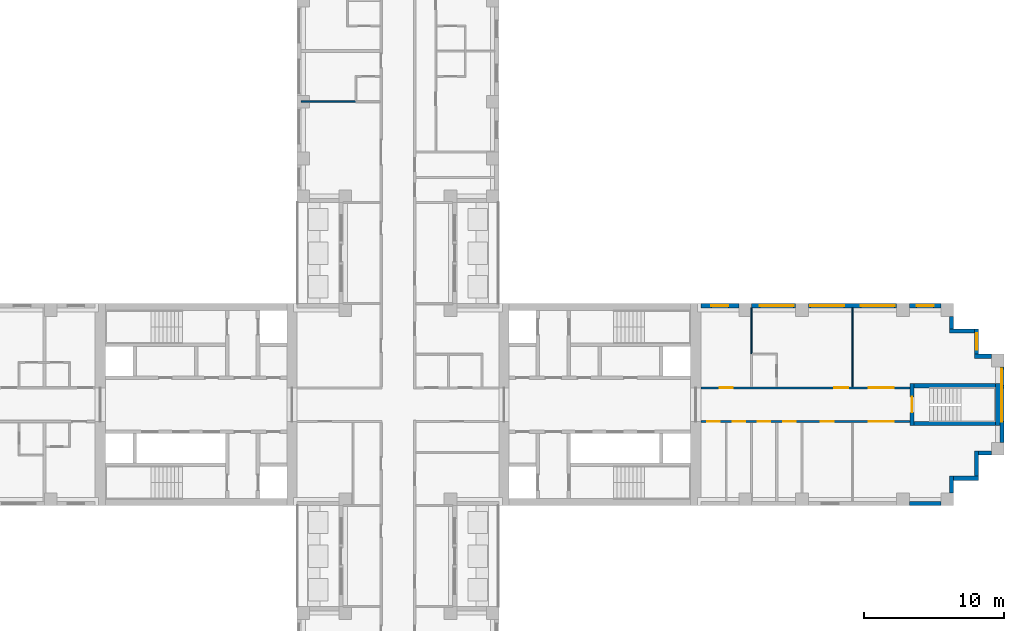
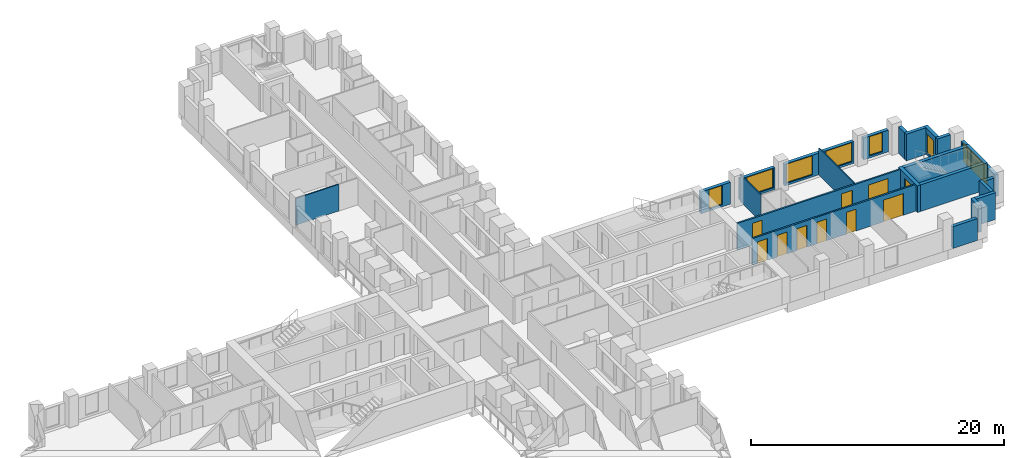
# One storey, part 10 of 15: 23 walls, 10 doors, 8 windows, 18 openings.
"""IFC4 building model written with IfcOpenShell, lengths in metres."""

from ifc_helpers import new_model, si_unit, direction, frame, frame_2d, origin, place, context, subcontext, project, spatial, rectangle, extrude, material, layer, layer_set, type_object, element, fill, save


model = new_model("IFC4")

# Units and contexts
model_context = context("Model", 3, precision=1e-05, world=origin(), true_north=direction((0.0, 1.0)))
body_context = subcontext(model_context, "Body", "Model", "MODEL_VIEW")
ifc_project = project(units=[si_unit("LENGTHUNIT", "METRE"), si_unit("AREAUNIT", "SQUARE_METRE"), si_unit("VOLUMEUNIT", "CUBIC_METRE"), si_unit("PLANEANGLEUNIT", "RADIAN"), si_unit("MASSUNIT", "GRAM", prefix="KILO")], contexts=[model_context])

# Site, building, storey
site_placement = place(None, origin())
site = spatial("IfcSite", under=ifc_project, at=site_placement, CompositionType="ELEMENT")
building_placement = place(site_placement, origin())
building = spatial("IfcBuilding", under=site, at=building_placement, Name="Fustian Cross Tower", CompositionType="ELEMENT")
storey_placement = place(building_placement, frame((0.0, 0.0, 47.699951171875)))
storey = spatial("IfcBuildingStorey", under=building, at=storey_placement, Name="L14", CompositionType="ELEMENT", Elevation=47.699951171875)

# Wall, openings, doors
ifc_material_1 = material(Name="Plasterboard on steel stud", Category="steel")
ifc_layer_1 = layer(ifc_material_1, 0.14990234375)
ifc_layer_set_1 = layer_set([ifc_layer_1], Name="Plasterboard on steel stud")
wall_type_1 = type_object("IfcWallType", Name="COMPARTMENT WALL 150 EI 60", PredefinedType="PARTITIONING", material=ifc_layer_set_1)
wall_1_placement = place(storey_placement, frame((21.60009765625, -1.199951171875, 0.0), z_axis=(0.0, 0.0, 1.0), x_axis=(1.0, 0.0, 0.0)))
wall_1 = element("IfcWall", 1, at=wall_1_placement, inside=storey, type_object=wall_type_1, Name="Partition 77", PredefinedType="PARTITIONING", context=body_context, shape_type="SweptSolid", body=[
    extrude(rectangle(XDim=14.89990234375, YDim=0.14990234375, at=frame_2d((7.449951171875, 0.0))), origin(), (0.0, 0.0, 1.0), 2.574951171875),
])
opening_1_placement = place(wall_1_placement, frame((0.449951171875, 0.0, 0.0)))
opening_1 = element("IfcOpeningElement", 2, at=opening_1_placement, cuts=wall_1, Name="Opening D08013", PredefinedType="OPENING", context=body_context, shape_type="SweptSolid", body=[
    extrude(rectangle(XDim=0.89990234375, YDim=2.10009765625, at=frame_2d((0.449951171875, 1.050048828125))), frame((0.0, 0.0849609375, 0.0), z_axis=(0.0, -1.0, 0.0), x_axis=(1.0, 0.0, 0.0)), (0.0, 0.0, 1.0), 0.169921875),
])
opening_2_placement = place(wall_1_placement, frame((2.25, 0.0, 0.0)))
opening_2 = element("IfcOpeningElement", 3, at=opening_2_placement, cuts=wall_1, Name="Opening D08014", PredefinedType="OPENING", context=body_context, shape_type="SweptSolid", body=[
    extrude(rectangle(XDim=0.89990234375, YDim=2.10009765625, at=frame_2d((0.449951171875, 1.050048828125))), frame((0.0, 0.0849609375, 0.0), z_axis=(0.0, -1.0, 0.0), x_axis=(1.0, 0.0, 0.0)), (0.0, 0.0, 1.0), 0.169921875),
])
opening_3_placement = place(wall_1_placement, frame((4.050048828125, 0.0, 0.0)))
opening_3 = element("IfcOpeningElement", 4, at=opening_3_placement, cuts=wall_1, Name="Opening D08015", PredefinedType="OPENING", context=body_context, shape_type="SweptSolid", body=[
    extrude(rectangle(XDim=0.89990234375, YDim=2.10009765625, at=frame_2d((0.449951171875, 1.050048828125))), frame((0.0, 0.0849609375, 0.0), z_axis=(0.0, -1.0, 0.0), x_axis=(1.0, 0.0, 0.0)), (0.0, 0.0, 1.0), 0.169921875),
])
opening_4_placement = place(wall_1_placement, frame((5.85009765625, 0.0, 0.0)))
opening_4 = element("IfcOpeningElement", 5, at=opening_4_placement, cuts=wall_1, Name="Opening D08016", PredefinedType="OPENING", context=body_context, shape_type="SweptSolid", body=[
    extrude(rectangle(XDim=0.89990234375, YDim=2.10009765625, at=frame_2d((0.449951171875, 1.050048828125))), frame((0.0, 0.0849609375, 0.0), z_axis=(0.0, -1.0, 0.0), x_axis=(1.0, 0.0, 0.0)), (0.0, 0.0, 1.0), 0.169921875),
])
opening_5_placement = place(wall_1_placement, frame((8.550048828125, 0.0, 0.0)))
opening_5 = element("IfcOpeningElement", 6, at=opening_5_placement, cuts=wall_1, Name="Opening D08017", PredefinedType="OPENING", context=body_context, shape_type="SweptSolid", body=[
    extrude(rectangle(XDim=0.89990234375, YDim=2.10009765625, at=frame_2d((0.449951171875, 1.050048828125))), frame((0.0, 0.0849609375, 0.0), z_axis=(0.0, -1.0, 0.0), x_axis=(1.0, 0.0, 0.0)), (0.0, 0.0, 1.0), 0.169921875),
])
opening_6_placement = place(wall_1_placement, frame((11.949951171875, 0.0, 0.0)))
opening_6 = element("IfcOpeningElement", 7, at=opening_6_placement, cuts=wall_1, Name="Opening D08018", PredefinedType="OPENING", context=body_context, shape_type="SweptSolid", body=[
    extrude(rectangle(XDim=1.800048828125, YDim=2.10009765625, at=frame_2d((0.89990234375, 1.050048828125))), frame((0.0, 0.0849609375, 0.0), z_axis=(0.0, -1.0, 0.0), x_axis=(1.0, 0.0, 0.0)), (0.0, 0.0, 1.0), 0.169921875),
])
ifc_material_2 = material(Name="Timber fire door set", Category="wood")
door_type_1 = type_object("IfcDoorType", Name="FIRE DOUBLE DOOR 1800 FD30S", OperationType="DOUBLE_DOOR_DOUBLE_SWING", PredefinedType="DOOR", material=ifc_material_2)
door_1_placement = place(opening_6_placement, origin())
door_1 = element("IfcDoor", 8, at=door_1_placement, inside=storey, type_object=door_type_1, Name="Door D08018", OperationType="DOUBLE_DOOR_DOUBLE_SWING", OverallHeight=2.10009765625, OverallWidth=1.800048828125, PredefinedType="DOOR", context=body_context, shape_type="SweptSolid", body=[
    extrude(rectangle(XDim=1.800048828125, YDim=2.10009765625, at=frame_2d((0.89990234375, 1.050048828125))), frame((0.0, 0.02490234375, 0.0), z_axis=(0.0, -1.0, 0.0), x_axis=(1.0, 0.0, 0.0)), (0.0, 0.0, 1.0), 0.050048828125),
])
fill(opening_6, door_1)
ifc_material_3 = material(Name="Timber fire door set", Category="wood")
door_type_2 = type_object("IfcDoorType", Name="FIRE SWING DOOR 900 FD30S", OperationType="SINGLE_SWING_LEFT", PredefinedType="DOOR", material=ifc_material_3)
door_2_placement = place(opening_1_placement, frame((0.89990234375, 0.0, 0.0), z_axis=(0.0, 0.0, 1.0), x_axis=(-1.0, 0.0, 0.0)))
door_2 = element("IfcDoor", 9, at=door_2_placement, inside=storey, type_object=door_type_2, Name="Door D08013", OperationType="SINGLE_SWING_LEFT", OverallHeight=2.10009765625, OverallWidth=0.89990234375, PredefinedType="DOOR", context=body_context, shape_type="SweptSolid", body=[
    extrude(rectangle(XDim=0.89990234375, YDim=2.10009765625, at=frame_2d((0.449951171875, 1.050048828125))), frame((0.0, 0.02490234375, 0.0), z_axis=(0.0, -1.0, 0.0), x_axis=(1.0, 0.0, 0.0)), (0.0, 0.0, 1.0), 0.050048828125),
])
fill(opening_1, door_2)
door_3_placement = place(opening_2_placement, frame((0.89990234375, 0.0, 0.0), z_axis=(0.0, 0.0, 1.0), x_axis=(-1.0, 0.0, 0.0)))
door_3 = element("IfcDoor", 10, at=door_3_placement, inside=storey, type_object=door_type_2, Name="Door D08014", OperationType="SINGLE_SWING_LEFT", OverallHeight=2.10009765625, OverallWidth=0.89990234375, PredefinedType="DOOR", context=body_context, shape_type="SweptSolid", body=[
    extrude(rectangle(XDim=0.89990234375, YDim=2.10009765625, at=frame_2d((0.449951171875, 1.050048828125))), frame((0.0, 0.02490234375, 0.0), z_axis=(0.0, -1.0, 0.0), x_axis=(1.0, 0.0, 0.0)), (0.0, 0.0, 1.0), 0.050048828125),
])
fill(opening_2, door_3)
door_4_placement = place(opening_3_placement, frame((0.89990234375, 0.0, 0.0), z_axis=(0.0, 0.0, 1.0), x_axis=(-1.0, 0.0, 0.0)))
door_4 = element("IfcDoor", 11, at=door_4_placement, inside=storey, type_object=door_type_2, Name="Door D08015", OperationType="SINGLE_SWING_LEFT", OverallHeight=2.10009765625, OverallWidth=0.89990234375, PredefinedType="DOOR", context=body_context, shape_type="SweptSolid", body=[
    extrude(rectangle(XDim=0.89990234375, YDim=2.10009765625, at=frame_2d((0.449951171875, 1.050048828125))), frame((0.0, 0.02490234375, 0.0), z_axis=(0.0, -1.0, 0.0), x_axis=(1.0, 0.0, 0.0)), (0.0, 0.0, 1.0), 0.050048828125),
])
fill(opening_3, door_4)
door_5_placement = place(opening_4_placement, frame((0.89990234375, 0.0, 0.0), z_axis=(0.0, 0.0, 1.0), x_axis=(-1.0, 0.0, 0.0)))
door_5 = element("IfcDoor", 12, at=door_5_placement, inside=storey, type_object=door_type_2, Name="Door D08016", OperationType="SINGLE_SWING_LEFT", OverallHeight=2.10009765625, OverallWidth=0.89990234375, PredefinedType="DOOR", context=body_context, shape_type="SweptSolid", body=[
    extrude(rectangle(XDim=0.89990234375, YDim=2.10009765625, at=frame_2d((0.449951171875, 1.050048828125))), frame((0.0, 0.02490234375, 0.0), z_axis=(0.0, -1.0, 0.0), x_axis=(1.0, 0.0, 0.0)), (0.0, 0.0, 1.0), 0.050048828125),
])
fill(opening_4, door_5)
door_6_placement = place(opening_5_placement, frame((0.89990234375, 0.0, 0.0), z_axis=(0.0, 0.0, 1.0), x_axis=(-1.0, 0.0, 0.0)))
door_6 = element("IfcDoor", 13, at=door_6_placement, inside=storey, type_object=door_type_2, Name="Door D08017", OperationType="SINGLE_SWING_RIGHT", OverallHeight=2.10009765625, OverallWidth=0.89990234375, PredefinedType="DOOR", context=body_context, shape_type="SweptSolid", body=[
    extrude(rectangle(XDim=0.89990234375, YDim=2.10009765625, at=frame_2d((0.449951171875, 1.050048828125))), frame((0.0, 0.02490234375, 0.0), z_axis=(0.0, -1.0, 0.0), x_axis=(1.0, 0.0, 0.0)), (0.0, 0.0, 1.0), 0.050048828125),
])
fill(opening_5, door_6)

wall_2_placement = place(storey_placement, frame((21.60009765625, 1.199951171875, 0.0), z_axis=(0.0, 0.0, 1.0), x_axis=(1.0, 0.0, 0.0)))
wall_2 = element("IfcWall", 14, at=wall_2_placement, inside=storey, type_object=wall_type_1, Name="Partition 78", PredefinedType="PARTITIONING", context=body_context, shape_type="SweptSolid", body=[
    extrude(rectangle(XDim=14.89990234375, YDim=0.14990234375, at=frame_2d((7.449951171875, 0.0))), origin(), (0.0, 0.0, 1.0), 2.574951171875),
])
opening_7_placement = place(wall_2_placement, frame((1.35009765625, 0.0, 0.0)))
opening_7 = element("IfcOpeningElement", 15, at=opening_7_placement, cuts=wall_2, Name="Opening D08009", PredefinedType="OPENING", context=body_context, shape_type="SweptSolid", body=[
    extrude(rectangle(XDim=0.89990234375, YDim=2.10009765625, at=frame_2d((0.449951171875, 1.050048828125))), frame((0.0, 0.0849609375, 0.0), z_axis=(0.0, -1.0, 0.0), x_axis=(1.0, 0.0, 0.0)), (0.0, 0.0, 1.0), 0.169921875),
])
opening_8_placement = place(wall_2_placement, frame((9.489990234375, 0.0, 0.0)))
opening_8 = element("IfcOpeningElement", 16, at=opening_8_placement, cuts=wall_2, Name="Opening D08011", PredefinedType="OPENING", context=body_context, shape_type="SweptSolid", body=[
    extrude(rectangle(XDim=1.0, YDim=2.10009765625, at=frame_2d((0.5, 1.050048828125))), frame((0.0, 0.0849609375, 0.0), z_axis=(0.0, -1.0, 0.0), x_axis=(1.0, 0.0, 0.0)), (0.0, 0.0, 1.0), 0.169921875),
])
opening_9_placement = place(wall_2_placement, frame((11.949951171875, 0.0, 0.0)))
opening_9 = element("IfcOpeningElement", 17, at=opening_9_placement, cuts=wall_2, Name="Opening D08012", PredefinedType="OPENING", context=body_context, shape_type="SweptSolid", body=[
    extrude(rectangle(XDim=1.800048828125, YDim=2.10009765625, at=frame_2d((0.89990234375, 1.050048828125))), frame((0.0, 0.0849609375, 0.0), z_axis=(0.0, -1.0, 0.0), x_axis=(1.0, 0.0, 0.0)), (0.0, 0.0, 1.0), 0.169921875),
])
door_7_placement = place(opening_9_placement, frame((1.800048828125, 0.0, 0.0), z_axis=(0.0, 0.0, 1.0), x_axis=(-1.0, 0.0, 0.0)))
door_7 = element("IfcDoor", 18, at=door_7_placement, inside=storey, type_object=door_type_1, Name="Door D08012", OperationType="DOUBLE_DOOR_DOUBLE_SWING", OverallHeight=2.10009765625, OverallWidth=1.800048828125, PredefinedType="DOOR", context=body_context, shape_type="SweptSolid", body=[
    extrude(rectangle(XDim=1.800048828125, YDim=2.10009765625, at=frame_2d((0.89990234375, 1.050048828125))), frame((0.0, 0.02490234375, 0.0), z_axis=(0.0, -1.0, 0.0), x_axis=(1.0, 0.0, 0.0)), (0.0, 0.0, 1.0), 0.050048828125),
])
fill(opening_9, door_7)
ifc_material_4 = material(Name="Timber fire door set", Category="wood")
door_type_3 = type_object("IfcDoorType", Name="FIRE SWING DOOR 1000 FD30S", OperationType="SINGLE_SWING_LEFT", PredefinedType="DOOR", material=ifc_material_4)
door_8_placement = place(opening_8_placement, origin())
door_8 = element("IfcDoor", 19, at=door_8_placement, inside=storey, type_object=door_type_3, Name="Door D08011", OperationType="SINGLE_SWING_RIGHT", OverallHeight=2.10009765625, OverallWidth=1.0, PredefinedType="DOOR", context=body_context, shape_type="SweptSolid", body=[
    extrude(rectangle(XDim=1.0, YDim=2.10009765625, at=frame_2d((0.5, 1.050048828125))), frame((0.0, 0.02490234375, 0.0), z_axis=(0.0, -1.0, 0.0), x_axis=(1.0, 0.0, 0.0)), (0.0, 0.0, 1.0), 0.050048828125),
])
fill(opening_8, door_8)
door_9_placement = place(opening_7_placement, origin())
door_9 = element("IfcDoor", 20, at=door_9_placement, inside=storey, type_object=door_type_2, Name="Door D08009", OperationType="SINGLE_SWING_LEFT", OverallHeight=2.10009765625, OverallWidth=0.89990234375, PredefinedType="DOOR", context=body_context, shape_type="SweptSolid", body=[
    extrude(rectangle(XDim=0.89990234375, YDim=2.10009765625, at=frame_2d((0.449951171875, 1.050048828125))), frame((0.0, 0.02490234375, 0.0), z_axis=(0.0, -1.0, 0.0), x_axis=(1.0, 0.0, 0.0)), (0.0, 0.0, 1.0), 0.050048828125),
])
fill(opening_7, door_9)

# Walls
ifc_material_5 = material(Name="Plasterboard on steel stud", Category="steel")
ifc_layer_2 = layer(ifc_material_5, 0.10009765625)
ifc_layer_set_2 = layer_set([ifc_layer_2], Name="Plasterboard on steel stud")
wall_type_2 = type_object("IfcWallType", Name="PARTITION 100 STUD", PredefinedType="PARTITIONING", material=ifc_layer_set_2)
wall_3_placement = place(storey_placement, frame((-6.89990234375, 21.60009765625, 0.0), z_axis=(0.0, 0.0, 1.0), x_axis=(1.0, 0.0, 0.0)))
element("IfcWall", 21, at=wall_3_placement, inside=storey, type_object=wall_type_2, Name="Partition 23", PredefinedType="PARTITIONING", context=body_context, shape_type="SweptSolid", body=[
    extrude(rectangle(XDim=3.89990234375, YDim=0.10009765625, at=frame_2d((1.949951171875, 0.0))), origin(), (0.0, 0.0, 1.0), 2.574951171875),
])
wall_4_placement = place(storey_placement, frame((25.199951171875, 3.60009765625, 0.0), z_axis=(0.0, 0.0, 1.0), x_axis=(0.0, 1.0, 0.0)))
element("IfcWall", 22, at=wall_4_placement, inside=storey, type_object=wall_type_2, Name="Partition 82", PredefinedType="PARTITIONING", context=body_context, shape_type="SweptSolid", body=[
    extrude(rectangle(XDim=3.2998046875, YDim=0.10009765625, at=frame_2d((1.64990234375, 0.0))), origin(), (0.0, 0.0, 1.0), 2.574951171875),
])
wall_5_placement = place(storey_placement, frame((32.39990234375, 1.27490234375, 0.0), z_axis=(0.0, 0.0, 1.0), x_axis=(0.0, 1.0, 0.0)))
element("IfcWall", 23, at=wall_5_placement, inside=storey, type_object=wall_type_2, Name="Partition 88", PredefinedType="PARTITIONING", context=body_context, shape_type="SweptSolid", body=[
    extrude(rectangle(XDim=5.625, YDim=0.10009765625, at=frame_2d((2.8125, 0.0))), origin(), (0.0, 0.0, 1.0), 2.574951171875),
])

# Wall, opening, door
ifc_material_6 = material(Name="Concrete C50/60", Category="concrete")
ifc_layer_3 = layer(ifc_material_6, 0.300048828125)
ifc_layer_set_3 = layer_set([ifc_layer_3], Name="Concrete C50/60")
wall_type_3 = type_object("IfcWallType", Name="STAIR ENCLOSURE WALL 300 C50/60", PredefinedType="SHEAR", material=ifc_layer_set_3)
wall_6_placement = place(storey_placement, frame((36.64990234375, -1.5, 0.0), z_axis=(0.0, 0.0, 1.0), x_axis=(0.0, 1.0, 0.0)))
wall_6 = element("IfcWall", 24, at=wall_6_placement, inside=storey, type_object=wall_type_3, Name="Stair enclosure wall", PredefinedType="SHEAR", context=body_context, shape_type="SweptSolid", body=[
    extrude(rectangle(XDim=3.0, YDim=0.300048828125, at=frame_2d((1.5, 0.0))), origin(), (0.0, 0.0, 1.0), 2.574951171875),
])
opening_10_placement = place(wall_6_placement, frame((0.949951171875, 0.0, 0.0)))
opening_10 = element("IfcOpeningElement", 25, at=opening_10_placement, cuts=wall_6, Name="Opening CD-05-33", PredefinedType="OPENING", context=body_context, shape_type="SweptSolid", body=[
    extrude(rectangle(XDim=1.10009765625, YDim=2.10009765625, at=frame_2d((0.550048828125, 1.050048828125))), frame((0.0, 0.159912109375, 0.0), z_axis=(0.0, -1.0, 0.0), x_axis=(1.0, 0.0, 0.0)), (0.0, 0.0, 1.0), 0.320068359375),
])
ifc_material_7 = material(Name="Steel", Category="steel")
door_type_4 = type_object("IfcDoorType", Name="FIRE DOOR FD60S 1100X2100", OperationType="SINGLE_SWING_LEFT", PredefinedType="DOOR", material=ifc_material_7)
door_10_placement = place(opening_10_placement, frame((1.10009765625, 0.0, 0.0), z_axis=(0.0, 0.0, 1.0), x_axis=(-1.0, 0.0, 0.0)))
door_10 = element("IfcDoor", 26, at=door_10_placement, inside=storey, type_object=door_type_4, Name="Core door CD-05-33", OperationType="SINGLE_SWING_RIGHT", OverallHeight=2.10009765625, OverallWidth=1.10009765625, PredefinedType="DOOR", context=body_context, shape_type="SweptSolid", body=[
    extrude(rectangle(XDim=1.10009765625, YDim=2.10009765625, at=frame_2d((0.550048828125, 1.050048828125))), frame((0.0, 0.02490234375, 0.0), z_axis=(0.0, -1.0, 0.0), x_axis=(1.0, 0.0, 0.0)), (0.0, 0.0, 1.0), 0.050048828125),
])
fill(opening_10, door_10)

# Walls
wall_7_placement = place(storey_placement, frame((42.75, -1.5, 0.0), z_axis=(0.0, 0.0, 1.0), x_axis=(0.0, 1.0, 0.0)))
element("IfcWall", 27, at=wall_7_placement, inside=storey, type_object=wall_type_3, Name="Stair enclosure wall", PredefinedType="SHEAR", context=body_context, shape_type="SweptSolid", body=[
    extrude(rectangle(XDim=3.0, YDim=0.300048828125, at=frame_2d((1.5, 0.0))), origin(), (0.0, 0.0, 1.0), 2.574951171875),
])
for number, where, z_axis, x_axis, name in (
    (28, (36.800048828125, -1.35009765625, 0.0), (0.0, 0.0, 1.0), (1.0, 0.0, 0.0), "Stair enclosure wall"),
    (29, (36.800048828125, 1.35009765625, 0.0), (0.0, 0.0, 1.0), (1.0, 0.0, 0.0), "Stair enclosure wall"),
):
    element("IfcWall", number, at=place(storey_placement, frame(where, z_axis=z_axis, x_axis=x_axis)), inside=storey, type_object=wall_type_3, Name=name, PredefinedType="SHEAR", context=body_context, shape_type="SweptSolid", body=[
        extrude(rectangle(XDim=5.800048828125, YDim=0.300048828125, at=frame_2d((2.89990234375, 0.0))), origin(), (0.0, 0.0, 1.0), 2.574951171875),
    ])
ifc_material_8 = material(Name="Dark aluminium cladding on insulated backing wall", Category="aluminium")
ifc_layer_4 = layer(ifc_material_8, 0.300048828125)
ifc_layer_set_4 = layer_set([ifc_layer_4], Name="Dark aluminium cladding on insulated backing wall")
wall_type_4 = type_object("IfcWallType", Name="XW1 EXTERNAL WALL 300", PredefinedType="SOLIDWALL", material=ifc_layer_set_4)
wall_8_placement = place(storey_placement, frame((36.449951171875, -7.050048828125, 0.0), z_axis=(0.0, 0.0, 1.0), x_axis=(1.0, 0.0, 0.0)))
element("IfcWall", 30, at=wall_8_placement, inside=storey, type_object=wall_type_4, Name="External wall", PredefinedType="SOLIDWALL", context=body_context, shape_type="SweptSolid", body=[
    extrude(rectangle(XDim=2.25, YDim=0.300048828125, at=frame_2d((1.125, 0.0))), origin(), (0.0, 0.0, 1.0), 2.10009765625),
])
wall_9_placement = place(storey_placement, frame((39.449951171875, -6.300048828125, 0.0), z_axis=(0.0, 0.0, 1.0), x_axis=(0.0, 1.0, 0.0)))
element("IfcWall", 31, at=wall_9_placement, inside=storey, type_object=wall_type_4, Name="External wall", PredefinedType="SOLIDWALL", context=body_context, shape_type="SweptSolid", body=[
    extrude(rectangle(XDim=1.199951171875, YDim=0.300048828125, at=frame_2d((0.60009765625, 0.0))), origin(), (0.0, 0.0, 1.0), 2.574951171875),
])
wall_10_placement = place(storey_placement, frame((39.60009765625, -5.25, 0.0), z_axis=(0.0, 0.0, 1.0), x_axis=(1.0, 0.0, 0.0)))
element("IfcWall", 32, at=wall_10_placement, inside=storey, type_object=wall_type_4, Name="External wall", PredefinedType="SOLIDWALL", context=body_context, shape_type="SweptSolid", body=[
    extrude(rectangle(XDim=1.7998046875, YDim=0.300048828125, at=frame_2d((0.89990234375, 0.0))), origin(), (0.0, 0.0, 1.0), 2.574951171875),
])
wall_11_placement = place(storey_placement, frame((41.25, -5.10009765625, 0.0), z_axis=(0.0, 0.0, 1.0), x_axis=(0.0, 1.0, 0.0)))
element("IfcWall", 33, at=wall_11_placement, inside=storey, type_object=wall_type_4, Name="External wall", PredefinedType="SOLIDWALL", context=body_context, shape_type="SweptSolid", body=[
    extrude(rectangle(XDim=1.800048828125, YDim=0.300048828125, at=frame_2d((0.89990234375, 0.0))), origin(), (0.0, 0.0, 1.0), 2.574951171875),
])
wall_12_placement = place(storey_placement, frame((41.39990234375, -3.449951171875, 0.0), z_axis=(0.0, 0.0, 1.0), x_axis=(1.0, 0.0, 0.0)))
element("IfcWall", 34, at=wall_12_placement, inside=storey, type_object=wall_type_4, Name="External wall", PredefinedType="SOLIDWALL", context=body_context, shape_type="SweptSolid", body=[
    extrude(rectangle(XDim=0.900146484375, YDim=0.300048828125, at=frame_2d((0.4501953125, 0.0))), origin(), (0.0, 0.0, 1.0), 2.574951171875),
])

# Wall, openings, windows
wall_13_placement = place(storey_placement, frame((43.050048828125, -2.699951171875, 0.0), z_axis=(0.0, 0.0, 1.0), x_axis=(0.0, 1.0, 0.0)))
wall_13 = element("IfcWall", 35, at=wall_13_placement, inside=storey, type_object=wall_type_4, Name="External wall", PredefinedType="SOLIDWALL", context=body_context, shape_type="SweptSolid", body=[
    extrude(rectangle(XDim=5.39990234375, YDim=0.300048828125, at=frame_2d((2.699951171875, 0.0))), origin(), (0.0, 0.0, 1.0), 2.10009765625),
])
opening_11_placement = place(wall_13_placement, frame((1.5, 0.0, 0.199951171875)))
opening_11 = element("IfcOpeningElement", 36, at=opening_11_placement, cuts=wall_13, Name="Opening WN1", PredefinedType="OPENING", context=body_context, shape_type="SweptSolid", body=[
    extrude(rectangle(XDim=2.39990234375, YDim=1.85009765625, at=frame_2d((1.199951171875, 0.925048828125))), frame((0.0, 0.159912109375, 0.0), z_axis=(0.0, -1.0, 0.0), x_axis=(1.0, 0.0, 0.0)), (0.0, 0.0, 1.0), 0.320068359375),
])
opening_12_placement = place(wall_13_placement, frame((4.050048828125, 0.0, 0.199951171875)))
opening_12 = element("IfcOpeningElement", 37, at=opening_12_placement, cuts=wall_13, Name="Opening WN3", PredefinedType="OPENING", context=body_context, shape_type="SweptSolid", body=[
    extrude(rectangle(XDim=1.199951171875, YDim=1.85009765625, at=frame_2d((0.60009765625, 0.925048828125))), frame((0.0, 0.159912109375, 0.0), z_axis=(0.0, -1.0, 0.0), x_axis=(1.0, 0.0, 0.0)), (0.0, 0.0, 1.0), 0.320068359375),
])
ifc_material_9 = material(Name="Dark anodised aluminium and double glazing", Category="aluminium")
window_type_1 = type_object("IfcWindowType", Name="WN1 WINDOW 2400X1850", PartitioningType="SINGLE_PANEL", PredefinedType="WINDOW", material=ifc_material_9)
window_1_placement = place(opening_11_placement, origin())
window_1 = element("IfcWindow", 38, at=window_1_placement, inside=storey, type_object=window_type_1, Name="Window", OverallHeight=1.85009765625, OverallWidth=2.39990234375, PartitioningType="SINGLE_PANEL", PredefinedType="WINDOW", context=body_context, shape_type="SweptSolid", body=[
    extrude(rectangle(XDim=2.39990234375, YDim=1.85009765625, at=frame_2d((1.199951171875, 0.925048828125))), frame((0.0, 0.030029296875, 0.0), z_axis=(0.0, -1.0, 0.0), x_axis=(1.0, 0.0, 0.0)), (0.0, 0.0, 1.0), 0.06005859375),
])
fill(opening_11, window_1)
ifc_material_10 = material(Name="Dark anodised aluminium and double glazing", Category="aluminium")
window_type_2 = type_object("IfcWindowType", Name="WN3 WINDOW 1200X1850", PartitioningType="SINGLE_PANEL", PredefinedType="WINDOW", material=ifc_material_10)
window_2_placement = place(opening_12_placement, origin())
window_2 = element("IfcWindow", 39, at=window_2_placement, inside=storey, type_object=window_type_2, Name="Window", OverallHeight=1.85009765625, OverallWidth=1.199951171875, PartitioningType="SINGLE_PANEL", PredefinedType="WINDOW", context=body_context, shape_type="SweptSolid", body=[
    extrude(rectangle(XDim=1.199951171875, YDim=1.85009765625, at=frame_2d((0.60009765625, 0.925048828125))), frame((0.0, 0.030029296875, 0.0), z_axis=(0.0, -1.0, 0.0), x_axis=(1.0, 0.0, 0.0)), (0.0, 0.0, 1.0), 0.06005859375),
])
fill(opening_12, window_2)

# Wall
wall_14_placement = place(storey_placement, frame((42.300048828125, 3.449951171875, 0.0), z_axis=(0.0, 0.0, 1.0), x_axis=(-1.0, 0.0, 0.0)))
element("IfcWall", 40, at=wall_14_placement, inside=storey, type_object=wall_type_4, Name="External wall", PredefinedType="SOLIDWALL", context=body_context, shape_type="SweptSolid", body=[
    extrude(rectangle(XDim=1.199951171875, YDim=0.300048828125, at=frame_2d((0.60009765625, 0.0))), origin(), (0.0, 0.0, 1.0), 2.574951171875),
])

# Wall, opening, window
wall_15_placement = place(storey_placement, frame((41.25, 3.60009765625, 0.0), z_axis=(0.0, 0.0, 1.0), x_axis=(0.0, 1.0, 0.0)))
wall_15 = element("IfcWall", 41, at=wall_15_placement, inside=storey, type_object=wall_type_4, Name="External wall", PredefinedType="SOLIDWALL", context=body_context, shape_type="SweptSolid", body=[
    extrude(rectangle(XDim=1.7998046875, YDim=0.300048828125, at=frame_2d((0.89990234375, 0.0))), origin(), (0.0, 0.0, 1.0), 2.574951171875),
])
opening_13_placement = place(wall_15_placement, frame((0.300048828125, 0.0, 0.199951171875)))
opening_13 = element("IfcOpeningElement", 42, at=opening_13_placement, cuts=wall_15, Name="Opening WN3", PredefinedType="OPENING", context=body_context, shape_type="SweptSolid", body=[
    extrude(rectangle(XDim=1.199951171875, YDim=1.85009765625, at=frame_2d((0.60009765625, 0.925048828125))), frame((0.0, 0.159912109375, 0.0), z_axis=(0.0, -1.0, 0.0), x_axis=(1.0, 0.0, 0.0)), (0.0, 0.0, 1.0), 0.320068359375),
])
window_3_placement = place(opening_13_placement, origin())
window_3 = element("IfcWindow", 43, at=window_3_placement, inside=storey, type_object=window_type_2, Name="Window", OverallHeight=1.85009765625, OverallWidth=1.199951171875, PartitioningType="SINGLE_PANEL", PredefinedType="WINDOW", context=body_context, shape_type="SweptSolid", body=[
    extrude(rectangle(XDim=1.199951171875, YDim=1.85009765625, at=frame_2d((0.60009765625, 0.925048828125))), frame((0.0, 0.030029296875, 0.0), z_axis=(0.0, -1.0, 0.0), x_axis=(1.0, 0.0, 0.0)), (0.0, 0.0, 1.0), 0.06005859375),
])
fill(opening_13, window_3)

# Walls
wall_16_placement = place(storey_placement, frame((41.10009765625, 5.25, 0.0), z_axis=(0.0, 0.0, 1.0), x_axis=(-1.0, 0.0, 0.0)))
element("IfcWall", 44, at=wall_16_placement, inside=storey, type_object=wall_type_4, Name="External wall", PredefinedType="SOLIDWALL", context=body_context, shape_type="SweptSolid", body=[
    extrude(rectangle(XDim=1.800048828125, YDim=0.300048828125, at=frame_2d((0.89990234375, 0.0))), origin(), (0.0, 0.0, 1.0), 2.574951171875),
])
wall_17_placement = place(storey_placement, frame((39.449951171875, 5.39990234375, 0.0), z_axis=(0.0, 0.0, 1.0), x_axis=(0.0, 1.0, 0.0)))
element("IfcWall", 45, at=wall_17_placement, inside=storey, type_object=wall_type_4, Name="External wall", PredefinedType="SOLIDWALL", context=body_context, shape_type="SweptSolid", body=[
    extrude(rectangle(XDim=0.900146484375, YDim=0.300048828125, at=frame_2d((0.4501953125, 0.0))), origin(), (0.0, 0.0, 1.0), 2.574951171875),
])

# Wall, opening, window
wall_18_placement = place(storey_placement, frame((38.699951171875, 7.050048828125, 0.0), z_axis=(0.0, 0.0, 1.0), x_axis=(-1.0, 0.0, 0.0)))
wall_18 = element("IfcWall", 46, at=wall_18_placement, inside=storey, type_object=wall_type_4, Name="External wall", PredefinedType="SOLIDWALL", context=body_context, shape_type="SweptSolid", body=[
    extrude(rectangle(XDim=2.25, YDim=0.300048828125, at=frame_2d((1.125, 0.0))), origin(), (0.0, 0.0, 1.0), 2.10009765625),
])
opening_14_placement = place(wall_18_placement, frame((0.52490234375, 0.0, 0.199951171875)))
opening_14 = element("IfcOpeningElement", 47, at=opening_14_placement, cuts=wall_18, Name="Opening WN3", PredefinedType="OPENING", context=body_context, shape_type="SweptSolid", body=[
    extrude(rectangle(XDim=1.199951171875, YDim=1.85009765625, at=frame_2d((0.60009765625, 0.925048828125))), frame((0.0, 0.159912109375, 0.0), z_axis=(0.0, -1.0, 0.0), x_axis=(1.0, 0.0, 0.0)), (0.0, 0.0, 1.0), 0.320068359375),
])
window_4_placement = place(opening_14_placement, origin())
window_4 = element("IfcWindow", 48, at=window_4_placement, inside=storey, type_object=window_type_2, Name="Window", OverallHeight=1.85009765625, OverallWidth=1.199951171875, PartitioningType="SINGLE_PANEL", PredefinedType="WINDOW", context=body_context, shape_type="SweptSolid", body=[
    extrude(rectangle(XDim=1.199951171875, YDim=1.85009765625, at=frame_2d((0.60009765625, 0.925048828125))), frame((0.0, 0.030029296875, 0.0), z_axis=(0.0, -1.0, 0.0), x_axis=(1.0, 0.0, 0.0)), (0.0, 0.0, 1.0), 0.06005859375),
])
fill(opening_14, window_4)

# Wall, openings, windows
wall_19_placement = place(storey_placement, frame((35.550048828125, 7.050048828125, 0.0), z_axis=(0.0, 0.0, 1.0), x_axis=(-1.0, 0.0, 0.0)))
wall_19 = element("IfcWall", 49, at=wall_19_placement, inside=storey, type_object=wall_type_4, Name="External wall", PredefinedType="SOLIDWALL", context=body_context, shape_type="SweptSolid", body=[
    extrude(rectangle(XDim=6.300048828125, YDim=0.300048828125, at=frame_2d((3.14990234375, 0.0))), origin(), (0.0, 0.0, 1.0), 2.10009765625),
])
opening_15_placement = place(wall_19_placement, frame((0.14990234375, 0.0, 0.199951171875)))
opening_15 = element("IfcOpeningElement", 50, at=opening_15_placement, cuts=wall_19, Name="Opening WN1", PredefinedType="OPENING", context=body_context, shape_type="SweptSolid", body=[
    extrude(rectangle(XDim=2.39990234375, YDim=1.85009765625, at=frame_2d((1.199951171875, 0.925048828125))), frame((0.0, 0.159912109375, 0.0), z_axis=(0.0, -1.0, 0.0), x_axis=(1.0, 0.0, 0.0)), (0.0, 0.0, 1.0), 0.320068359375),
])
opening_16_placement = place(wall_19_placement, frame((3.75, 0.0, 0.199951171875)))
opening_16 = element("IfcOpeningElement", 51, at=opening_16_placement, cuts=wall_19, Name="Opening WN1", PredefinedType="OPENING", context=body_context, shape_type="SweptSolid", body=[
    extrude(rectangle(XDim=2.39990234375, YDim=1.85009765625, at=frame_2d((1.199951171875, 0.925048828125))), frame((0.0, 0.159912109375, 0.0), z_axis=(0.0, -1.0, 0.0), x_axis=(1.0, 0.0, 0.0)), (0.0, 0.0, 1.0), 0.320068359375),
])
window_5_placement = place(opening_15_placement, origin())
window_5 = element("IfcWindow", 52, at=window_5_placement, inside=storey, type_object=window_type_1, Name="Window", OverallHeight=1.85009765625, OverallWidth=2.39990234375, PartitioningType="SINGLE_PANEL", PredefinedType="WINDOW", context=body_context, shape_type="SweptSolid", body=[
    extrude(rectangle(XDim=2.39990234375, YDim=1.85009765625, at=frame_2d((1.199951171875, 0.925048828125))), frame((0.0, 0.030029296875, 0.0), z_axis=(0.0, -1.0, 0.0), x_axis=(1.0, 0.0, 0.0)), (0.0, 0.0, 1.0), 0.06005859375),
])
fill(opening_15, window_5)
window_6_placement = place(opening_16_placement, origin())
window_6 = element("IfcWindow", 53, at=window_6_placement, inside=storey, type_object=window_type_1, Name="Window", OverallHeight=1.85009765625, OverallWidth=2.39990234375, PartitioningType="SINGLE_PANEL", PredefinedType="WINDOW", context=body_context, shape_type="SweptSolid", body=[
    extrude(rectangle(XDim=2.39990234375, YDim=1.85009765625, at=frame_2d((1.199951171875, 0.925048828125))), frame((0.0, 0.030029296875, 0.0), z_axis=(0.0, -1.0, 0.0), x_axis=(1.0, 0.0, 0.0)), (0.0, 0.0, 1.0), 0.06005859375),
])
fill(opening_16, window_6)

# Wall, opening, window
wall_20_placement = place(storey_placement, frame((28.35009765625, 7.050048828125, 0.0), z_axis=(0.0, 0.0, 1.0), x_axis=(-1.0, 0.0, 0.0)))
wall_20 = element("IfcWall", 54, at=wall_20_placement, inside=storey, type_object=wall_type_4, Name="External wall", PredefinedType="SOLIDWALL", context=body_context, shape_type="SweptSolid", body=[
    extrude(rectangle(XDim=3.150146484375, YDim=0.300048828125, at=frame_2d((1.5751953125, 0.0))), origin(), (0.0, 0.0, 1.0), 2.10009765625),
])
opening_17_placement = place(wall_20_placement, frame((0.14990234375, 0.0, 0.199951171875)))
opening_17 = element("IfcOpeningElement", 55, at=opening_17_placement, cuts=wall_20, Name="Opening WN1", PredefinedType="OPENING", context=body_context, shape_type="SweptSolid", body=[
    extrude(rectangle(XDim=2.39990234375, YDim=1.85009765625, at=frame_2d((1.199951171875, 0.925048828125))), frame((0.0, 0.159912109375, 0.0), z_axis=(0.0, -1.0, 0.0), x_axis=(1.0, 0.0, 0.0)), (0.0, 0.0, 1.0), 0.320068359375),
])
window_7_placement = place(opening_17_placement, origin())
window_7 = element("IfcWindow", 56, at=window_7_placement, inside=storey, type_object=window_type_1, Name="Window", OverallHeight=1.85009765625, OverallWidth=2.39990234375, PartitioningType="SINGLE_PANEL", PredefinedType="WINDOW", context=body_context, shape_type="SweptSolid", body=[
    extrude(rectangle(XDim=2.39990234375, YDim=1.85009765625, at=frame_2d((1.199951171875, 0.925048828125))), frame((0.0, 0.030029296875, 0.0), z_axis=(0.0, -1.0, 0.0), x_axis=(1.0, 0.0, 0.0)), (0.0, 0.0, 1.0), 0.06005859375),
])
fill(opening_17, window_7)

wall_21_placement = place(storey_placement, frame((24.300048828125, 7.050048828125, 0.0), z_axis=(0.0, 0.0, 1.0), x_axis=(-1.0, 0.0, 0.0)))
wall_21 = element("IfcWall", 57, at=wall_21_placement, inside=storey, type_object=wall_type_4, Name="External wall", PredefinedType="SOLIDWALL", context=body_context, shape_type="SweptSolid", body=[
    extrude(rectangle(XDim=2.699951171875, YDim=0.300048828125, at=frame_2d((1.35009765625, 0.0))), origin(), (0.0, 0.0, 1.0), 2.10009765625),
])
opening_18_placement = place(wall_21_placement, frame((0.75, 0.0, 0.199951171875)))
opening_18 = element("IfcOpeningElement", 58, at=opening_18_placement, cuts=wall_21, Name="Opening WN3", PredefinedType="OPENING", context=body_context, shape_type="SweptSolid", body=[
    extrude(rectangle(XDim=1.199951171875, YDim=1.85009765625, at=frame_2d((0.60009765625, 0.925048828125))), frame((0.0, 0.159912109375, 0.0), z_axis=(0.0, -1.0, 0.0), x_axis=(1.0, 0.0, 0.0)), (0.0, 0.0, 1.0), 0.320068359375),
])
window_8_placement = place(opening_18_placement, origin())
window_8 = element("IfcWindow", 59, at=window_8_placement, inside=storey, type_object=window_type_2, Name="Window", OverallHeight=1.85009765625, OverallWidth=1.199951171875, PartitioningType="SINGLE_PANEL", PredefinedType="WINDOW", context=body_context, shape_type="SweptSolid", body=[
    extrude(rectangle(XDim=1.199951171875, YDim=1.85009765625, at=frame_2d((0.60009765625, 0.925048828125))), frame((0.0, 0.030029296875, 0.0), z_axis=(0.0, -1.0, 0.0), x_axis=(1.0, 0.0, 0.0)), (0.0, 0.0, 1.0), 0.06005859375),
])
fill(opening_18, window_8)

save(model, "model.ifc")
